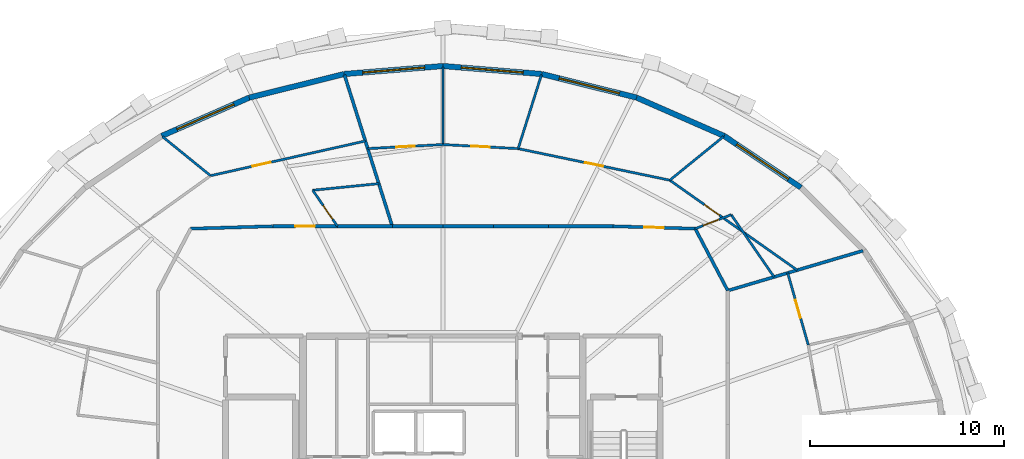
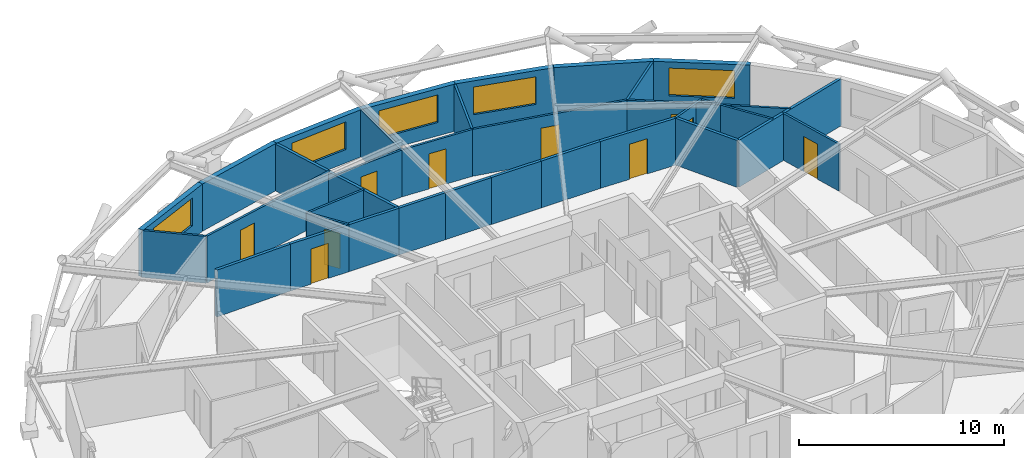
# One storey, part 14 of 16: 32 walls, 10 doors, 5 windows, 15 openings.
"""IFC4 building model written with IfcOpenShell, lengths in metres."""

from ifc_helpers import new_model, si_unit, direction, frame, frame_2d, origin, place, context, subcontext, project, spatial, rectangle, extrude, material, layer, layer_set, type_object, element, fill, save


model = new_model("IFC4")

# Units and contexts
model_context = context("Model", 3, precision=1e-05, world=origin(), true_north=direction((0.0, 1.0)))
body_context = subcontext(model_context, "Body", "Model", "MODEL_VIEW")
ifc_project = project(units=[si_unit("LENGTHUNIT", "METRE"), si_unit("AREAUNIT", "SQUARE_METRE"), si_unit("VOLUMEUNIT", "CUBIC_METRE"), si_unit("PLANEANGLEUNIT", "RADIAN"), si_unit("MASSUNIT", "GRAM", prefix="KILO")], contexts=[model_context])

# Site, building, storey
site_placement = place(None, origin())
site = spatial("IfcSite", under=ifc_project, at=site_placement, CompositionType="ELEMENT")
building_placement = place(site_placement, origin())
building = spatial("IfcBuilding", under=site, at=building_placement, Name="Veldorina Hangang Commons", CompositionType="ELEMENT")
storey_placement = place(building_placement, frame((0.0, 0.0, 174.800048828125)))
storey = spatial("IfcBuildingStorey", under=building, at=storey_placement, Name="L45", CompositionType="ELEMENT", Elevation=174.800048828125)

# Wall, opening, window
ifc_material_1 = material(Name="Stone Roman Travertine", Category="masonry")
ifc_layer_1 = layer(ifc_material_1, 0.280029296875)
ifc_layer_set_1 = layer_set([ifc_layer_1], Name="Stone Roman Travertine")
wall_type_1 = type_object("IfcWallType", Name="EW-TRAV-280", PredefinedType="STANDARD", material=ifc_layer_set_1)
wall_1_placement = place(storey_placement, frame((50.4130859375, 39.089599609375, 0.0), z_axis=(0.0, 0.0, 1.0), x_axis=(-0.829776575502, 0.558095721851, 0.0)))
wall_1 = element("IfcWall", 1, at=wall_1_placement, inside=storey, type_object=wall_type_1, Name="L45 travertine facade wall 04", PredefinedType="STANDARD", context=body_context, shape_type="SweptSolid", body=[
    extrude(rectangle(XDim=4.755615234375, YDim=0.280029296875, at=frame_2d((2.3779296875, 0.0))), origin(), (0.0, 0.0, 1.0), 2.820068359375),
])
opening_1_placement = place(wall_1_placement, frame((0.77783203125, 0.0, 0.800048828125)))
opening_1 = element("IfcOpeningElement", 2, at=opening_1_placement, cuts=wall_1, Name="Opening W-01", PredefinedType="OPENING", context=body_context, shape_type="SweptSolid", body=[
    extrude(rectangle(XDim=3.199951171875, YDim=1.64990234375, at=frame_2d((1.60009765625, 0.824951171875))), frame((0.0, 0.14990234375, 0.0), z_axis=(0.0, -1.0, 0.0), x_axis=(1.0, 0.0, 0.0)), (0.0, 0.0, 1.0), 0.300048828125),
])
ifc_material_2 = material(Name="Glass Low-E Triple IGU", Category="glass")
window_type = type_object("IfcWindowType", Name="WIN-TWR-3200", PartitioningType="SINGLE_PANEL", PredefinedType="WINDOW", material=ifc_material_2)
window_1_placement = place(opening_1_placement, origin())
window_1 = element("IfcWindow", 3, at=window_1_placement, inside=storey, type_object=window_type, Name="L45 facade window 04", OverallHeight=1.64990234375, OverallWidth=3.199951171875, PartitioningType="SINGLE_PANEL", PredefinedType="WINDOW", context=body_context, shape_type="SweptSolid", body=[
    extrude(rectangle(XDim=3.199951171875, YDim=1.64990234375, at=frame_2d((1.60009765625, 0.824951171875))), frame((0.0, 0.030029296875, 0.0), z_axis=(0.0, -1.0, 0.0), x_axis=(1.0, 0.0, 0.0)), (0.0, 0.0, 1.0), 0.06005859375),
])
fill(opening_1, window_1)

# Wall
wall_2_placement = place(storey_placement, frame((46.467041015625, 41.74365234375, 0.0), z_axis=(0.0, 0.0, 1.0), x_axis=(-0.915983961181, 0.401214883647, 0.0)))
element("IfcWall", 4, at=wall_2_placement, inside=storey, type_object=wall_type_1, Name="L45 travertine facade wall 05", PredefinedType="STANDARD", context=body_context, shape_type="SweptSolid", body=[
    extrude(rectangle(XDim=4.914794921875, YDim=0.280029296875, at=frame_2d((2.45751953125, 0.0))), origin(), (0.0, 0.0, 1.0), 2.820068359375),
])

# Wall, opening, window
wall_3_placement = place(storey_placement, frame((41.965087890625, 43.715576171875, 0.0), z_axis=(0.0, 0.0, 1.0), x_axis=(-0.970464034564, 0.241245844766, 0.0)))
wall_3 = element("IfcWall", 5, at=wall_3_placement, inside=storey, type_object=wall_type_1, Name="L45 travertine facade wall 06", PredefinedType="STANDARD", context=body_context, shape_type="SweptSolid", body=[
    extrude(rectangle(XDim=5.03369140625, YDim=0.280029296875, at=frame_2d((2.516845703125, 0.0))), origin(), (0.0, 0.0, 1.0), 2.820068359375),
])
opening_2_placement = place(wall_3_placement, frame((0.916748046875, 0.0, 0.800048828125)))
opening_2 = element("IfcOpeningElement", 6, at=opening_2_placement, cuts=wall_3, Name="Opening W-01", PredefinedType="OPENING", context=body_context, shape_type="SweptSolid", body=[
    extrude(rectangle(XDim=3.199951171875, YDim=1.64990234375, at=frame_2d((1.60009765625, 0.824951171875))), frame((0.0, 0.14990234375, 0.0), z_axis=(0.0, -1.0, 0.0), x_axis=(1.0, 0.0, 0.0)), (0.0, 0.0, 1.0), 0.300048828125),
])
window_2_placement = place(opening_2_placement, origin())
window_2 = element("IfcWindow", 7, at=window_2_placement, inside=storey, type_object=window_type, Name="L45 facade window 06", OverallHeight=1.64990234375, OverallWidth=3.199951171875, PartitioningType="SINGLE_PANEL", PredefinedType="WINDOW", context=body_context, shape_type="SweptSolid", body=[
    extrude(rectangle(XDim=3.199951171875, YDim=1.64990234375, at=frame_2d((1.60009765625, 0.824951171875))), frame((0.0, 0.030029296875, 0.0), z_axis=(0.0, -1.0, 0.0), x_axis=(1.0, 0.0, 0.0)), (0.0, 0.0, 1.0), 0.06005859375),
])
fill(opening_2, window_2)

wall_4_placement = place(storey_placement, frame((37.080078125, 44.929931640625, 0.0), z_axis=(0.0, 0.0, 1.0), x_axis=(-0.996756522082, 0.080476305128, 0.0)))
wall_4 = element("IfcWall", 8, at=wall_4_placement, inside=storey, type_object=wall_type_1, Name="L45 travertine facade wall 07", PredefinedType="STANDARD", context=body_context, shape_type="SweptSolid", body=[
    extrude(rectangle(XDim=5.0966796875, YDim=0.280029296875, at=frame_2d((2.54833984375, 0.0))), origin(), (0.0, 0.0, 1.0), 2.820068359375),
])
opening_3_placement = place(wall_4_placement, frame((0.948486328125, 0.0, 0.800048828125)))
opening_3 = element("IfcOpeningElement", 9, at=opening_3_placement, cuts=wall_4, Name="Opening W-01", PredefinedType="OPENING", context=body_context, shape_type="SweptSolid", body=[
    extrude(rectangle(XDim=3.199951171875, YDim=1.64990234375, at=frame_2d((1.60009765625, 0.824951171875))), frame((0.0, 0.14990234375, 0.0), z_axis=(0.0, -1.0, 0.0), x_axis=(1.0, 0.0, 0.0)), (0.0, 0.0, 1.0), 0.300048828125),
])
window_3_placement = place(opening_3_placement, origin())
window_3 = element("IfcWindow", 10, at=window_3_placement, inside=storey, type_object=window_type, Name="L45 facade window 07", OverallHeight=1.64990234375, OverallWidth=3.199951171875, PartitioningType="SINGLE_PANEL", PredefinedType="WINDOW", context=body_context, shape_type="SweptSolid", body=[
    extrude(rectangle(XDim=3.199951171875, YDim=1.64990234375, at=frame_2d((1.60009765625, 0.824951171875))), frame((0.0, 0.030029296875, 0.0), z_axis=(0.0, -1.0, 0.0), x_axis=(1.0, 0.0, 0.0)), (0.0, 0.0, 1.0), 0.06005859375),
])
fill(opening_3, window_3)

wall_5_placement = place(storey_placement, frame((32.0, 45.340087890625, 0.0), z_axis=(0.0, 0.0, 1.0), x_axis=(-0.996756522082, -0.080476305128, 0.0)))
wall_5 = element("IfcWall", 11, at=wall_5_placement, inside=storey, type_object=wall_type_1, Name="L45 travertine facade wall 08", PredefinedType="STANDARD", context=body_context, shape_type="SweptSolid", body=[
    extrude(rectangle(XDim=5.0966796875, YDim=0.280029296875, at=frame_2d((2.54833984375, 0.0))), origin(), (0.0, 0.0, 1.0), 2.820068359375),
])
opening_4_placement = place(wall_5_placement, frame((0.948486328125, 0.0, 0.800048828125)))
opening_4 = element("IfcOpeningElement", 12, at=opening_4_placement, cuts=wall_5, Name="Opening W-01", PredefinedType="OPENING", context=body_context, shape_type="SweptSolid", body=[
    extrude(rectangle(XDim=3.199951171875, YDim=1.64990234375, at=frame_2d((1.60009765625, 0.824951171875))), frame((0.0, 0.14990234375, 0.0), z_axis=(0.0, -1.0, 0.0), x_axis=(1.0, 0.0, 0.0)), (0.0, 0.0, 1.0), 0.300048828125),
])
window_4_placement = place(opening_4_placement, origin())
window_4 = element("IfcWindow", 13, at=window_4_placement, inside=storey, type_object=window_type, Name="L45 facade window 08", OverallHeight=1.64990234375, OverallWidth=3.199951171875, PartitioningType="SINGLE_PANEL", PredefinedType="WINDOW", context=body_context, shape_type="SweptSolid", body=[
    extrude(rectangle(XDim=3.199951171875, YDim=1.64990234375, at=frame_2d((1.60009765625, 0.824951171875))), frame((0.0, 0.030029296875, 0.0), z_axis=(0.0, -1.0, 0.0), x_axis=(1.0, 0.0, 0.0)), (0.0, 0.0, 1.0), 0.06005859375),
])
fill(opening_4, window_4)

# Wall
wall_6_placement = place(storey_placement, frame((26.919921875, 44.929931640625, 0.0), z_axis=(0.0, 0.0, 1.0), x_axis=(-0.970464034564, -0.241245844766, 0.0)))
element("IfcWall", 14, at=wall_6_placement, inside=storey, type_object=wall_type_1, Name="L45 travertine facade wall 09", PredefinedType="STANDARD", context=body_context, shape_type="SweptSolid", body=[
    extrude(rectangle(XDim=5.03369140625, YDim=0.280029296875, at=frame_2d((2.516845703125, 0.0))), origin(), (0.0, 0.0, 1.0), 2.820068359375),
])

# Wall, opening, window
wall_7_placement = place(storey_placement, frame((22.034912109375, 43.715576171875, 0.0), z_axis=(0.0, 0.0, 1.0), x_axis=(-0.915983961181, -0.401214883647, 0.0)))
wall_7 = element("IfcWall", 15, at=wall_7_placement, inside=storey, type_object=wall_type_1, Name="L45 travertine facade wall 10", PredefinedType="STANDARD", context=body_context, shape_type="SweptSolid", body=[
    extrude(rectangle(XDim=4.914794921875, YDim=0.280029296875, at=frame_2d((2.45751953125, 0.0))), origin(), (0.0, 0.0, 1.0), 2.820068359375),
])
opening_5_placement = place(wall_7_placement, frame((0.857421875, 0.0, 0.800048828125)))
opening_5 = element("IfcOpeningElement", 16, at=opening_5_placement, cuts=wall_7, Name="Opening W-01", PredefinedType="OPENING", context=body_context, shape_type="SweptSolid", body=[
    extrude(rectangle(XDim=3.199951171875, YDim=1.64990234375, at=frame_2d((1.60009765625, 0.824951171875))), frame((0.0, 0.14990234375, 0.0), z_axis=(0.0, -1.0, 0.0), x_axis=(1.0, 0.0, 0.0)), (0.0, 0.0, 1.0), 0.300048828125),
])
window_5_placement = place(opening_5_placement, origin())
window_5 = element("IfcWindow", 17, at=window_5_placement, inside=storey, type_object=window_type, Name="L45 facade window 10", OverallHeight=1.64990234375, OverallWidth=3.199951171875, PartitioningType="SINGLE_PANEL", PredefinedType="WINDOW", context=body_context, shape_type="SweptSolid", body=[
    extrude(rectangle(XDim=3.199951171875, YDim=1.64990234375, at=frame_2d((1.60009765625, 0.824951171875))), frame((0.0, 0.030029296875, 0.0), z_axis=(0.0, -1.0, 0.0), x_axis=(1.0, 0.0, 0.0)), (0.0, 0.0, 1.0), 0.06005859375),
])
fill(opening_5, window_5)

# Wall
ifc_material_3 = material(Name="Gypsum Fire-Rated Twin Stud Wall", Category="gypsum")
ifc_layer_2 = layer(ifc_material_3, 0.159912109375)
ifc_layer_set_2 = layer_set([ifc_layer_2], Name="Gypsum Fire-Rated Twin Stud Wall")
wall_type_2 = type_object("IfcWallType", Name="WL-FIRE-160", PredefinedType="SOLIDWALL", material=ifc_layer_set_2)
wall_8_placement = place(storey_placement, frame((46.64990234375, 33.788818359375, 0.0), z_axis=(0.0, 0.0, 1.0), x_axis=(-0.46527115782, 0.885168204185, 0.0)))
element("IfcWall", 18, at=wall_8_placement, inside=storey, type_object=wall_type_2, Name="L45 U-corridor outer wall 03 053", PredefinedType="SOLIDWALL", context=body_context, shape_type="SweptSolid", body=[
    extrude(rectangle(XDim=3.599609375, YDim=0.159912109375, at=frame_2d((1.7998046875, 0.0))), origin(), (0.0, 0.0, 1.0), 2.800048828125),
])

# Wall, opening, door
wall_9_placement = place(storey_placement, frame((44.97509765625, 36.97509765625, 0.0), z_axis=(0.0, 0.0, 1.0), x_axis=(-0.999561990195, 0.029594387265, 0.0)))
wall_9 = element("IfcWall", 19, at=wall_9_placement, inside=storey, type_object=wall_type_2, Name="L45 U-corridor outer wall 04 054", PredefinedType="SOLIDWALL", context=body_context, shape_type="SweptSolid", body=[
    extrude(rectangle(XDim=4.223876953125, YDim=0.159912109375, at=frame_2d((2.11181640625, 0.0))), origin(), (0.0, 0.0, 1.0), 2.800048828125),
])
opening_6_placement = place(wall_9_placement, frame((1.61181640625, 0.0, 0.0)))
opening_6 = element("IfcOpeningElement", 20, at=opening_6_placement, cuts=wall_9, Name="Opening D-06", PredefinedType="OPENING", context=body_context, shape_type="SweptSolid", body=[
    extrude(rectangle(XDim=1.0, YDim=2.10009765625, at=frame_2d((0.5, 1.050048828125))), frame((0.0, 0.08984375, 0.0), z_axis=(0.0, -1.0, 0.0), x_axis=(1.0, 0.0, 0.0)), (0.0, 0.0, 1.0), 0.179931640625),
])
ifc_material_4 = material(Name="Timber Fire-Rated Entrance Core", Category="wood")
door_type_1 = type_object("IfcDoorType", Name="DR-UNIT-1000", OperationType="SINGLE_SWING_LEFT", PredefinedType="DOOR", material=ifc_material_4)
door_1_placement = place(opening_6_placement, origin())
door_1 = element("IfcDoor", 21, at=door_1_placement, inside=storey, type_object=door_type_1, Name="L45 Cluster 3 entrance door 033", OperationType="SINGLE_SWING_LEFT", OverallHeight=2.10009765625, OverallWidth=1.0, PredefinedType="DOOR", context=body_context, shape_type="SweptSolid", body=[
    extrude(rectangle(XDim=1.0, YDim=2.10009765625, at=frame_2d((0.5, 1.050048828125))), frame((0.0, 0.02490234375, 0.0), z_axis=(0.0, -1.0, 0.0), x_axis=(1.0, 0.0, 0.0)), (0.0, 0.0, 1.0), 0.050048828125),
])
fill(opening_6, door_1)

# Walls
wall_10_placement = place(storey_placement, frame((40.753173828125, 37.10009765625, 0.0), z_axis=(0.0, 0.0, 1.0), x_axis=(-1.0, 0.0, 0.0)))
element("IfcWall", 22, at=wall_10_placement, inside=storey, type_object=wall_type_2, Name="L45 U-corridor outer wall 05 055", PredefinedType="SOLIDWALL", context=body_context, shape_type="SweptSolid", body=[
    extrude(rectangle(XDim=3.326904296875, YDim=0.159912109375, at=frame_2d((1.66357421875, 0.0))), origin(), (0.0, 0.0, 1.0), 2.800048828125),
])
wall_11_placement = place(storey_placement, frame((37.42626953125, 37.10009765625, 0.0), z_axis=(0.0, 0.0, 1.0), x_axis=(-1.0, 0.0, 0.0)))
element("IfcWall", 23, at=wall_11_placement, inside=storey, type_object=wall_type_2, Name="L45 U-corridor outer wall 06 056", PredefinedType="SOLIDWALL", context=body_context, shape_type="SweptSolid", body=[
    extrude(rectangle(XDim=2.820556640625, YDim=0.159912109375, at=frame_2d((1.41015625, 0.0))), origin(), (0.0, 0.0, 1.0), 2.800048828125),
])
for number, where, z_axis, x_axis, name in (
    (24, (34.605712890625, 37.10009765625, 0.0), (0.0, 0.0, 1.0), (-1.0, 0.0, 0.0), "L45 U-corridor outer wall 07 057"),
    (25, (32.0, 37.10009765625, 0.0), (0.0, 0.0, 1.0), (-1.0, 0.0, 0.0), "L45 U-corridor outer wall 08 058"),
):
    element("IfcWall", number, at=place(storey_placement, frame(where, z_axis=z_axis, x_axis=x_axis)), inside=storey, type_object=wall_type_2, Name=name, PredefinedType="SOLIDWALL", context=body_context, shape_type="SweptSolid", body=[
        extrude(rectangle(XDim=2.605712890625, YDim=0.159912109375, at=frame_2d((1.302734375, 0.0))), origin(), (0.0, 0.0, 1.0), 2.800048828125),
    ])
wall_12_placement = place(storey_placement, frame((29.394287109375, 37.10009765625, 0.0), z_axis=(0.0, 0.0, 1.0), x_axis=(-1.0, 0.0, 0.0)))
element("IfcWall", 26, at=wall_12_placement, inside=storey, type_object=wall_type_2, Name="L45 U-corridor outer wall 09 059", PredefinedType="SOLIDWALL", context=body_context, shape_type="SweptSolid", body=[
    extrude(rectangle(XDim=2.820556640625, YDim=0.159912109375, at=frame_2d((1.41015625, 0.0))), origin(), (0.0, 0.0, 1.0), 2.800048828125),
])

# Wall, opening, door
wall_13_placement = place(storey_placement, frame((26.57373046875, 37.10009765625, 0.0), z_axis=(0.0, 0.0, 1.0), x_axis=(-1.0, 0.0, 0.0)))
wall_13 = element("IfcWall", 27, at=wall_13_placement, inside=storey, type_object=wall_type_2, Name="L45 U-corridor outer wall 10 060", PredefinedType="SOLIDWALL", context=body_context, shape_type="SweptSolid", body=[
    extrude(rectangle(XDim=3.326904296875, YDim=0.159912109375, at=frame_2d((1.66357421875, 0.0))), origin(), (0.0, 0.0, 1.0), 2.800048828125),
])
opening_7_placement = place(wall_13_placement, frame((1.16357421875, 0.0, 0.0)))
opening_7 = element("IfcOpeningElement", 28, at=opening_7_placement, cuts=wall_13, Name="Opening D-06", PredefinedType="OPENING", context=body_context, shape_type="SweptSolid", body=[
    extrude(rectangle(XDim=1.0, YDim=2.10009765625, at=frame_2d((0.5, 1.050048828125))), frame((0.0, 0.08984375, 0.0), z_axis=(0.0, -1.0, 0.0), x_axis=(1.0, 0.0, 0.0)), (0.0, 0.0, 1.0), 0.179931640625),
])
door_2_placement = place(opening_7_placement, origin())
door_2 = element("IfcDoor", 29, at=door_2_placement, inside=storey, type_object=door_type_1, Name="L45 Cluster 4 entrance door 039", OperationType="SINGLE_SWING_LEFT", OverallHeight=2.10009765625, OverallWidth=1.0, PredefinedType="DOOR", context=body_context, shape_type="SweptSolid", body=[
    extrude(rectangle(XDim=1.0, YDim=2.10009765625, at=frame_2d((0.5, 1.050048828125))), frame((0.0, 0.02490234375, 0.0), z_axis=(0.0, -1.0, 0.0), x_axis=(1.0, 0.0, 0.0)), (0.0, 0.0, 1.0), 0.050048828125),
])
fill(opening_7, door_2)

# Walls
wall_14_placement = place(storey_placement, frame((23.246826171875, 37.10009765625, 0.0), z_axis=(0.0, 0.0, 1.0), x_axis=(-0.999561990195, -0.029594387265, 0.0)))
element("IfcWall", 30, at=wall_14_placement, inside=storey, type_object=wall_type_2, Name="L45 U-corridor outer wall 11 061", PredefinedType="SOLIDWALL", context=body_context, shape_type="SweptSolid", body=[
    extrude(rectangle(XDim=4.223876953125, YDim=0.159912109375, at=frame_2d((2.11181640625, 0.0))), origin(), (0.0, 0.0, 1.0), 2.800048828125),
])
wall_15_placement = place(storey_placement, frame((46.64990234375, 33.788818359375, 0.0), z_axis=(0.0, 0.0, 1.0), x_axis=(0.959073837525, 0.283156095069, 0.0)))
element("IfcWall", 31, at=wall_15_placement, inside=storey, type_object=wall_type_2, Name="L45 Unit party wall 03 100", PredefinedType="SOLIDWALL", context=body_context, shape_type="SweptSolid", body=[
    extrude(rectangle(XDim=7.250244140625, YDim=0.159912109375, at=frame_2d((3.625, 0.0))), origin(), (0.0, 0.0, 1.0), 2.800048828125),
])
wall_16_placement = place(storey_placement, frame((29.394287109375, 37.10009765625, 0.0), z_axis=(0.0, 0.0, 1.0), x_axis=(-0.301346102792, 0.953514827537, 0.0)))
element("IfcWall", 32, at=wall_16_placement, inside=storey, type_object=wall_type_2, Name="L45 Unit party wall 09 110", PredefinedType="SOLIDWALL", context=body_context, shape_type="SweptSolid", body=[
    extrude(rectangle(XDim=8.16162109375, YDim=0.159912109375, at=frame_2d((4.080810546875, 0.0))), origin(), (0.0, 0.0, 1.0), 2.800048828125),
])

# Wall, opening, door
ifc_material_5 = material(Name="Gypsum Acoustic Stud Partition", Category="gypsum")
ifc_layer_3 = layer(ifc_material_5, 0.1201171875)
ifc_layer_set_3 = layer_set([ifc_layer_3], Name="Gypsum Acoustic Stud Partition")
wall_type_3 = type_object("IfcWallType", Name="WL-PART-120", PredefinedType="PARTITIONING", material=ifc_layer_set_3)
wall_17_placement = place(storey_placement, frame((50.789306640625, 30.991455078125, 0.0), z_axis=(0.0, 0.0, 1.0), x_axis=(-0.274604022912, 0.961557398495, 0.0)))
wall_17 = element("IfcWall", 33, at=wall_17_placement, inside=storey, type_object=wall_type_3, Name="L45 Cluster 2 bed 6 front wall 098", PredefinedType="PARTITIONING", context=body_context, shape_type="SweptSolid", body=[
    extrude(rectangle(XDim=3.85498046875, YDim=0.1201171875, at=frame_2d((1.927490234375, 0.0))), origin(), (0.0, 0.0, 1.0), 2.800048828125),
])
opening_8_placement = place(wall_17_placement, frame((1.452392578125, 0.0, 0.0)))
opening_8 = element("IfcOpeningElement", 34, at=opening_8_placement, cuts=wall_17, Name="Opening D-02", PredefinedType="OPENING", context=body_context, shape_type="SweptSolid", body=[
    extrude(rectangle(XDim=0.949951171875, YDim=2.10009765625, at=frame_2d((0.47509765625, 1.050048828125))), frame((0.0, 0.070068359375, 0.0), z_axis=(0.0, -1.0, 0.0), x_axis=(1.0, 0.0, 0.0)), (0.0, 0.0, 1.0), 0.14013671875),
])
ifc_material_6 = material(Name="Timber Solid Core Acoustic", Category="wood")
door_type_2 = type_object("IfcDoorType", Name="DR-INT-950", OperationType="SINGLE_SWING_LEFT", PredefinedType="DOOR", material=ifc_material_6)
door_3_placement = place(opening_8_placement, origin())
door_3 = element("IfcDoor", 35, at=door_3_placement, inside=storey, type_object=door_type_2, Name="L45 Cluster 2 bed 6 door 031", OperationType="SINGLE_SWING_LEFT", OverallHeight=2.10009765625, OverallWidth=0.949951171875, PredefinedType="DOOR", context=body_context, shape_type="SweptSolid", body=[
    extrude(rectangle(XDim=0.949951171875, YDim=2.10009765625, at=frame_2d((0.47509765625, 1.050048828125))), frame((0.0, 0.02490234375, 0.0), z_axis=(0.0, -1.0, 0.0), x_axis=(1.0, 0.0, 0.0)), (0.0, 0.0, 1.0), 0.050048828125),
])
fill(opening_8, door_3)

# Wall
wall_18_placement = place(storey_placement, frame((49.030517578125, 34.49169921875, 0.0), z_axis=(0.0, 0.0, 1.0), x_axis=(-0.567383758206, 0.823453502588, 0.0)))
element("IfcWall", 36, at=wall_18_placement, inside=storey, type_object=wall_type_3, Name="L45 Cluster 3 bath front wall 101", PredefinedType="PARTITIONING", context=body_context, shape_type="SweptSolid", body=[
    extrude(rectangle(XDim=3.888916015625, YDim=0.1201171875, at=frame_2d((1.9443359375, 0.0))), origin(), (0.0, 0.0, 1.0), 2.800048828125),
])

# Wall, opening, door
wall_19_placement = place(storey_placement, frame((44.97509765625, 36.97509765625, 0.0), z_axis=(0.0, 0.0, 1.0), x_axis=(0.932006981142, 0.362440322126, 0.0)))
wall_19 = element("IfcWall", 37, at=wall_19_placement, inside=storey, type_object=wall_type_3, Name="L45 Cluster 3 bath side wall 102", PredefinedType="PARTITIONING", context=body_context, shape_type="SweptSolid", body=[
    extrude(rectangle(XDim=1.983642578125, YDim=0.1201171875, at=frame_2d((0.99169921875, 0.0))), origin(), (0.0, 0.0, 1.0), 2.800048828125),
])
opening_9_placement = place(wall_19_placement, frame((0.43994140625, 0.0, 0.0)))
opening_9 = element("IfcOpeningElement", 38, at=opening_9_placement, cuts=wall_19, Name="Opening D-01", PredefinedType="OPENING", context=body_context, shape_type="SweptSolid", body=[
    extrude(rectangle(XDim=0.860107421875, YDim=2.10009765625, at=frame_2d((0.43017578125, 1.050048828125))), frame((0.0, 0.070068359375, 0.0), z_axis=(0.0, -1.0, 0.0), x_axis=(1.0, 0.0, 0.0)), (0.0, 0.0, 1.0), 0.14013671875),
])
ifc_material_7 = material(Name="Timber Moisture-Resistant Core", Category="wood")
door_type_3 = type_object("IfcDoorType", Name="DR-WET-860", OperationType="SINGLE_SWING_LEFT", PredefinedType="DOOR", material=ifc_material_7)
door_4_placement = place(opening_9_placement, origin())
door_4 = element("IfcDoor", 39, at=door_4_placement, inside=storey, type_object=door_type_3, Name="L45 Cluster 3 shared bathroom door 032", OperationType="SINGLE_SWING_RIGHT", OverallHeight=2.10009765625, OverallWidth=0.860107421875, PredefinedType="DOOR", context=body_context, shape_type="SweptSolid", body=[
    extrude(rectangle(XDim=0.860107421875, YDim=2.10009765625, at=frame_2d((0.43017578125, 1.050048828125))), frame((0.0, 0.02490234375, 0.0), z_axis=(0.0, -1.0, 0.0), x_axis=(1.0, 0.0, 0.0)), (0.0, 0.0, 1.0), 0.050048828125),
])
fill(opening_9, door_4)

wall_20_placement = place(storey_placement, frame((50.220703125, 34.843017578125, 0.0), z_axis=(0.0, 0.0, 1.0), x_axis=(-0.817010879992, 0.57662225241, 0.0)))
wall_20 = element("IfcWall", 40, at=wall_20_placement, inside=storey, type_object=wall_type_3, Name="L45 Cluster 3 bed 1 front wall 103", PredefinedType="PARTITIONING", context=body_context, shape_type="SweptSolid", body=[
    extrude(rectangle(XDim=8.021240234375, YDim=0.1201171875, at=frame_2d((4.0107421875, 0.0))), origin(), (0.0, 0.0, 1.0), 2.800048828125),
])
opening_10_placement = place(wall_20_placement, frame((4.897705078125, 0.0, 0.0)))
opening_10 = element("IfcOpeningElement", 41, at=opening_10_placement, cuts=wall_20, Name="Opening D-02", PredefinedType="OPENING", context=body_context, shape_type="SweptSolid", body=[
    extrude(rectangle(XDim=0.949951171875, YDim=2.10009765625, at=frame_2d((0.47509765625, 1.050048828125))), frame((0.0, 0.070068359375, 0.0), z_axis=(0.0, -1.0, 0.0), x_axis=(1.0, 0.0, 0.0)), (0.0, 0.0, 1.0), 0.14013671875),
])
door_5_placement = place(opening_10_placement, origin())
door_5 = element("IfcDoor", 42, at=door_5_placement, inside=storey, type_object=door_type_2, Name="L45 Cluster 3 bed 1 door 034", OperationType="SINGLE_SWING_RIGHT", OverallHeight=2.10009765625, OverallWidth=0.949951171875, PredefinedType="DOOR", context=body_context, shape_type="SweptSolid", body=[
    extrude(rectangle(XDim=0.949951171875, YDim=2.10009765625, at=frame_2d((0.47509765625, 1.050048828125))), frame((0.0, 0.02490234375, 0.0), z_axis=(0.0, -1.0, 0.0), x_axis=(1.0, 0.0, 0.0)), (0.0, 0.0, 1.0), 0.050048828125),
])
fill(opening_10, door_5)

wall_21_placement = place(storey_placement, frame((43.667236328125, 39.46826171875, 0.0), z_axis=(0.0, 0.0, 1.0), x_axis=(-0.978978125213, 0.203965267519, 0.0)))
wall_21 = element("IfcWall", 43, at=wall_21_placement, inside=storey, type_object=wall_type_3, Name="L45 Cluster 3 bed 2 front wall 104", PredefinedType="PARTITIONING", context=body_context, shape_type="SweptSolid", body=[
    extrude(rectangle(XDim=7.967041015625, YDim=0.1201171875, at=frame_2d((3.9833984375, 0.0))), origin(), (0.0, 0.0, 1.0), 2.800048828125),
])
opening_11_placement = place(wall_21_placement, frame((3.508544921875, 0.0, 0.0)))
opening_11 = element("IfcOpeningElement", 44, at=opening_11_placement, cuts=wall_21, Name="Opening D-02", PredefinedType="OPENING", context=body_context, shape_type="SweptSolid", body=[
    extrude(rectangle(XDim=0.949951171875, YDim=2.10009765625, at=frame_2d((0.47509765625, 1.050048828125))), frame((0.0, 0.070068359375, 0.0), z_axis=(0.0, -1.0, 0.0), x_axis=(1.0, 0.0, 0.0)), (0.0, 0.0, 1.0), 0.14013671875),
])
door_6_placement = place(opening_11_placement, origin())
door_6 = element("IfcDoor", 45, at=door_6_placement, inside=storey, type_object=door_type_2, Name="L45 Cluster 3 bed 2 door 035", OperationType="SINGLE_SWING_LEFT", OverallHeight=2.10009765625, OverallWidth=0.949951171875, PredefinedType="DOOR", context=body_context, shape_type="SweptSolid", body=[
    extrude(rectangle(XDim=0.949951171875, YDim=2.10009765625, at=frame_2d((0.47509765625, 1.050048828125))), frame((0.0, 0.02490234375, 0.0), z_axis=(0.0, -1.0, 0.0), x_axis=(1.0, 0.0, 0.0)), (0.0, 0.0, 1.0), 0.050048828125),
])
fill(opening_11, door_6)

# Wall
wall_22_placement = place(storey_placement, frame((43.667236328125, 39.46826171875, 0.0), z_axis=(0.0, 0.0, 1.0), x_axis=(0.776032133051, 0.630693371197, 0.0)))
element("IfcWall", 46, at=wall_22_placement, inside=storey, type_object=wall_type_3, Name="L45 Cluster 3 bed divider 1 105", PredefinedType="PARTITIONING", context=body_context, shape_type="SweptSolid", body=[
    extrude(rectangle(XDim=3.557861328125, YDim=0.1201171875, at=frame_2d((1.77880859375, 0.0))), origin(), (0.0, 0.0, 1.0), 2.800048828125),
])

# Wall, opening, door
wall_23_placement = place(storey_placement, frame((35.86767578125, 41.09326171875, 0.0), z_axis=(0.0, 0.0, 1.0), x_axis=(-0.998539976993, 0.054017722528, 0.0)))
wall_23 = element("IfcWall", 47, at=wall_23_placement, inside=storey, type_object=wall_type_3, Name="L45 Cluster 3 bed 3 front wall 106", PredefinedType="PARTITIONING", context=body_context, shape_type="SweptSolid", body=[
    extrude(rectangle(XDim=3.873291015625, YDim=0.1201171875, at=frame_2d((1.9365234375, 0.0))), origin(), (0.0, 0.0, 1.0), 2.800048828125),
])
opening_12_placement = place(wall_23_placement, frame((1.461669921875, 0.0, 0.0)))
opening_12 = element("IfcOpeningElement", 48, at=opening_12_placement, cuts=wall_23, Name="Opening D-02", PredefinedType="OPENING", context=body_context, shape_type="SweptSolid", body=[
    extrude(rectangle(XDim=0.949951171875, YDim=2.10009765625, at=frame_2d((0.47509765625, 1.050048828125))), frame((0.0, 0.070068359375, 0.0), z_axis=(0.0, -1.0, 0.0), x_axis=(1.0, 0.0, 0.0)), (0.0, 0.0, 1.0), 0.14013671875),
])
door_7_placement = place(opening_12_placement, origin())
door_7 = element("IfcDoor", 49, at=door_7_placement, inside=storey, type_object=door_type_2, Name="L45 Cluster 3 bed 3 door 036", OperationType="SINGLE_SWING_RIGHT", OverallHeight=2.10009765625, OverallWidth=0.949951171875, PredefinedType="DOOR", context=body_context, shape_type="SweptSolid", body=[
    extrude(rectangle(XDim=0.949951171875, YDim=2.10009765625, at=frame_2d((0.47509765625, 1.050048828125))), frame((0.0, 0.02490234375, 0.0), z_axis=(0.0, -1.0, 0.0), x_axis=(1.0, 0.0, 0.0)), (0.0, 0.0, 1.0), 0.050048828125),
])
fill(opening_12, door_7)

# Wall
wall_24_placement = place(storey_placement, frame((35.86767578125, 41.09326171875, 0.0), z_axis=(0.0, 0.0, 1.0), x_axis=(0.30135188561, 0.953512999932, 0.0)))
element("IfcWall", 50, at=wall_24_placement, inside=storey, type_object=wall_type_3, Name="L45 Cluster 3 bed divider 2 107", PredefinedType="PARTITIONING", context=body_context, shape_type="SweptSolid", body=[
    extrude(rectangle(XDim=3.973876953125, YDim=0.1201171875, at=frame_2d((1.98681640625, 0.0))), origin(), (0.0, 0.0, 1.0), 2.800048828125),
])

# Wall, opening, door
wall_25_placement = place(storey_placement, frame((32.0, 41.302490234375, 0.0), z_axis=(0.0, 0.0, 1.0), x_axis=(-0.998539976993, -0.054017722528, 0.0)))
wall_25 = element("IfcWall", 51, at=wall_25_placement, inside=storey, type_object=wall_type_3, Name="L45 Cluster 3 bed 4 front wall 108", PredefinedType="PARTITIONING", context=body_context, shape_type="SweptSolid", body=[
    extrude(rectangle(XDim=3.873291015625, YDim=0.1201171875, at=frame_2d((1.9365234375, 0.0))), origin(), (0.0, 0.0, 1.0), 2.800048828125),
])
opening_13_placement = place(wall_25_placement, frame((1.461669921875, 0.0, 0.0)))
opening_13 = element("IfcOpeningElement", 52, at=opening_13_placement, cuts=wall_25, Name="Opening D-02", PredefinedType="OPENING", context=body_context, shape_type="SweptSolid", body=[
    extrude(rectangle(XDim=0.949951171875, YDim=2.10009765625, at=frame_2d((0.47509765625, 1.050048828125))), frame((0.0, 0.070068359375, 0.0), z_axis=(0.0, -1.0, 0.0), x_axis=(1.0, 0.0, 0.0)), (0.0, 0.0, 1.0), 0.14013671875),
])
door_8_placement = place(opening_13_placement, origin())
door_8 = element("IfcDoor", 53, at=door_8_placement, inside=storey, type_object=door_type_2, Name="L45 Cluster 3 bed 4 door 037", OperationType="SINGLE_SWING_LEFT", OverallHeight=2.10009765625, OverallWidth=0.949951171875, PredefinedType="DOOR", context=body_context, shape_type="SweptSolid", body=[
    extrude(rectangle(XDim=0.949951171875, YDim=2.10009765625, at=frame_2d((0.47509765625, 1.050048828125))), frame((0.0, 0.02490234375, 0.0), z_axis=(0.0, -1.0, 0.0), x_axis=(1.0, 0.0, 0.0)), (0.0, 0.0, 1.0), 0.050048828125),
])
fill(opening_13, door_8)

# Walls
wall_26_placement = place(storey_placement, frame((32.0, 41.302490234375, 0.0), z_axis=(0.0, 0.0, 1.0), x_axis=(0.0, 1.0, 0.0)))
element("IfcWall", 54, at=wall_26_placement, inside=storey, type_object=wall_type_3, Name="L45 Cluster 3 bed divider 3 109", PredefinedType="PARTITIONING", context=body_context, shape_type="SweptSolid", body=[
    extrude(rectangle(XDim=3.987548828125, YDim=0.1201171875, at=frame_2d((1.99365234375, 0.0))), origin(), (0.0, 0.0, 1.0), 2.800048828125),
])
wall_27_placement = place(storey_placement, frame((28.701416015625, 39.29248046875, 0.0), z_axis=(0.0, 0.0, 1.0), x_axis=(-0.995030110262, -0.099574493074, 0.0)))
element("IfcWall", 55, at=wall_27_placement, inside=storey, type_object=wall_type_3, Name="L45 Cluster 4 bath front wall 111", PredefinedType="PARTITIONING", context=body_context, shape_type="SweptSolid", body=[
    extrude(rectangle(XDim=3.41552734375, YDim=0.1201171875, at=frame_2d((1.707763671875, 0.0))), origin(), (0.0, 0.0, 1.0), 2.800048828125),
])

# Wall, opening, door
wall_28_placement = place(storey_placement, frame((26.57373046875, 37.10009765625, 0.0), z_axis=(0.0, 0.0, 1.0), x_axis=(-0.565712100387, 0.82460282529, 0.0)))
wall_28 = element("IfcWall", 56, at=wall_28_placement, inside=storey, type_object=wall_type_3, Name="L45 Cluster 4 bath side wall 112", PredefinedType="PARTITIONING", context=body_context, shape_type="SweptSolid", body=[
    extrude(rectangle(XDim=2.246337890625, YDim=0.1201171875, at=frame_2d((1.123046875, 0.0))), origin(), (0.0, 0.0, 1.0), 2.800048828125),
])
opening_14_placement = place(wall_28_placement, frame((0.43994140625, 0.0, 0.0)))
opening_14 = element("IfcOpeningElement", 57, at=opening_14_placement, cuts=wall_28, Name="Opening D-01", PredefinedType="OPENING", context=body_context, shape_type="SweptSolid", body=[
    extrude(rectangle(XDim=0.860107421875, YDim=2.10009765625, at=frame_2d((0.43017578125, 1.050048828125))), frame((0.0, 0.070068359375, 0.0), z_axis=(0.0, -1.0, 0.0), x_axis=(1.0, 0.0, 0.0)), (0.0, 0.0, 1.0), 0.14013671875),
])
door_9_placement = place(opening_14_placement, origin())
door_9 = element("IfcDoor", 58, at=door_9_placement, inside=storey, type_object=door_type_3, Name="L45 Cluster 4 shared bathroom door 038", OperationType="SINGLE_SWING_RIGHT", OverallHeight=2.10009765625, OverallWidth=0.860107421875, PredefinedType="DOOR", context=body_context, shape_type="SweptSolid", body=[
    extrude(rectangle(XDim=0.860107421875, YDim=2.10009765625, at=frame_2d((0.43017578125, 1.050048828125))), frame((0.0, 0.02490234375, 0.0), z_axis=(0.0, -1.0, 0.0), x_axis=(1.0, 0.0, 0.0)), (0.0, 0.0, 1.0), 0.050048828125),
])
fill(opening_14, door_9)

wall_29_placement = place(storey_placement, frame((28.008544921875, 41.48486328125, 0.0), z_axis=(0.0, 0.0, 1.0), x_axis=(-0.975790457845, -0.218707527028, 0.0)))
wall_29 = element("IfcWall", 59, at=wall_29_placement, inside=storey, type_object=wall_type_3, Name="L45 Cluster 4 bed 1 front wall 113", PredefinedType="PARTITIONING", context=body_context, shape_type="SweptSolid", body=[
    extrude(rectangle(XDim=8.158935546875, YDim=0.1201171875, at=frame_2d((4.07958984375, 0.0))), origin(), (0.0, 0.0, 1.0), 2.800048828125),
])
opening_15_placement = place(wall_29_placement, frame((4.996826171875, 0.0, 0.0)))
opening_15 = element("IfcOpeningElement", 60, at=opening_15_placement, cuts=wall_29, Name="Opening D-02", PredefinedType="OPENING", context=body_context, shape_type="SweptSolid", body=[
    extrude(rectangle(XDim=0.949951171875, YDim=2.10009765625, at=frame_2d((0.47509765625, 1.050048828125))), frame((0.0, 0.070068359375, 0.0), z_axis=(0.0, -1.0, 0.0), x_axis=(1.0, 0.0, 0.0)), (0.0, 0.0, 1.0), 0.14013671875),
])
door_10_placement = place(opening_15_placement, origin())
door_10 = element("IfcDoor", 61, at=door_10_placement, inside=storey, type_object=door_type_2, Name="L45 Cluster 4 bed 1 door 040", OperationType="SINGLE_SWING_RIGHT", OverallHeight=2.10009765625, OverallWidth=0.949951171875, PredefinedType="DOOR", context=body_context, shape_type="SweptSolid", body=[
    extrude(rectangle(XDim=0.949951171875, YDim=2.10009765625, at=frame_2d((0.47509765625, 1.050048828125))), frame((0.0, 0.02490234375, 0.0), z_axis=(0.0, -1.0, 0.0), x_axis=(1.0, 0.0, 0.0)), (0.0, 0.0, 1.0), 0.050048828125),
])
fill(opening_15, door_10)

# Wall
wall_30_placement = place(storey_placement, frame((20.047119140625, 39.700439453125, 0.0), z_axis=(0.0, 0.0, 1.0), x_axis=(-0.776036734146, 0.630687709771, 0.0)))
element("IfcWall", 62, at=wall_30_placement, inside=storey, type_object=wall_type_3, Name="L45 Cluster 4 bed divider 1 115", PredefinedType="PARTITIONING", context=body_context, shape_type="SweptSolid", body=[
    extrude(rectangle(XDim=3.189697265625, YDim=0.1201171875, at=frame_2d((1.5947265625, 0.0))), origin(), (0.0, 0.0, 1.0), 2.800048828125),
])

save(model, "model.ifc")
